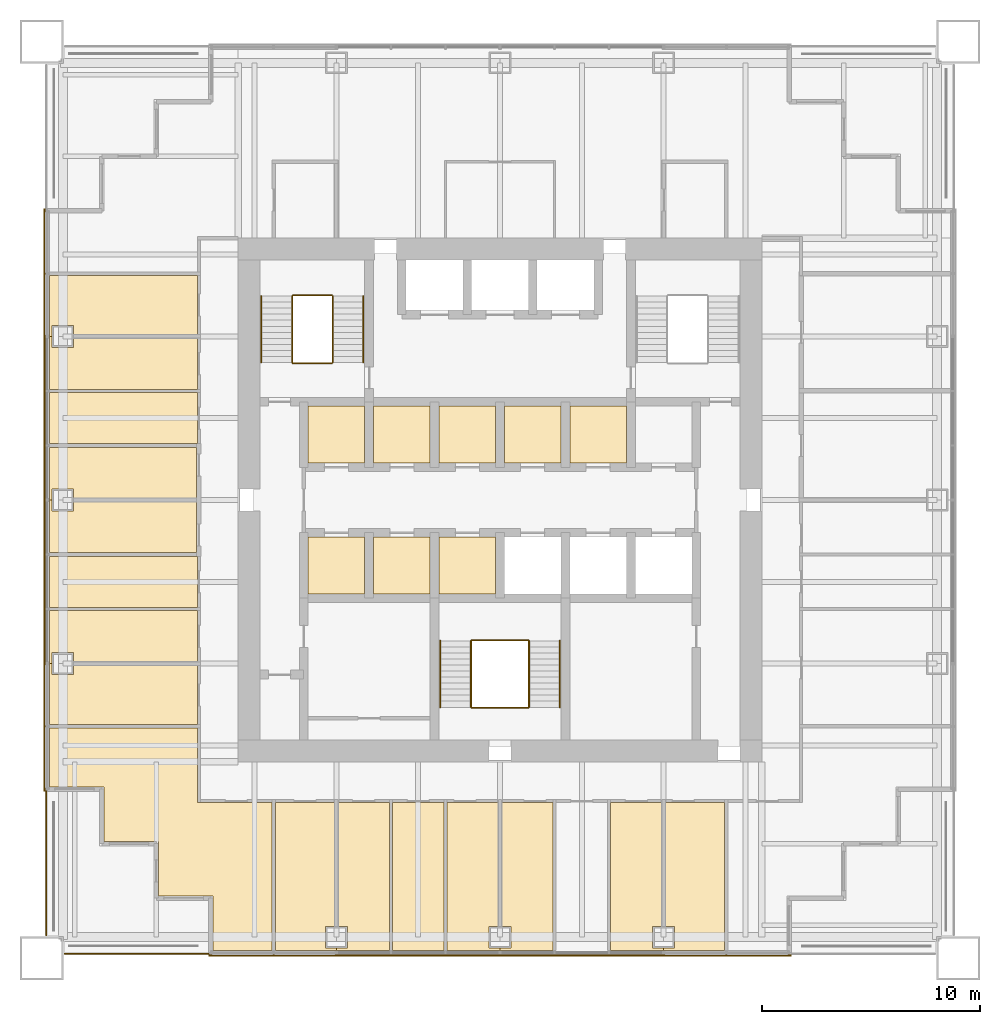
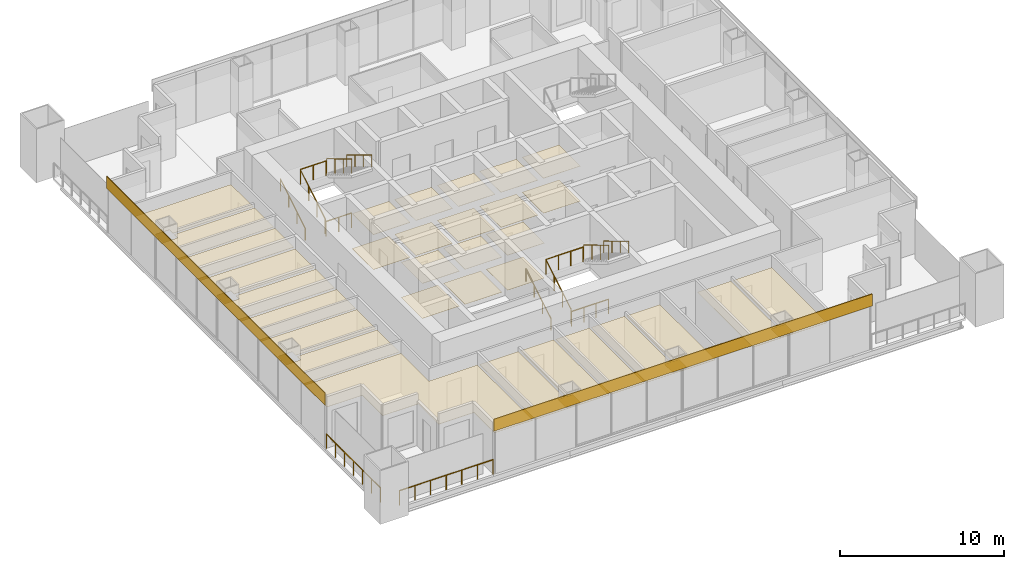
# One storey, part 13 of 14: 34 coverings, 14 railings.
"""IFC4 building model written with IfcOpenShell, lengths in metres."""

from ifc_helpers import new_model, si_unit, direction, frame, origin, origin_2d, place, context, subcontext, project, spatial, polyline, rectangle, circle, outline, extrude, material, layer, layer_set, type_object, element, save


model = new_model("IFC4")

# Units and contexts
model_context = context("Model", 3, precision=1e-05, world=origin(), true_north=direction((0.0, 1.0)))
body_context = subcontext(model_context, "Body", "Model", "MODEL_VIEW")
ifc_project = project(units=[si_unit("LENGTHUNIT", "METRE"), si_unit("AREAUNIT", "SQUARE_METRE"), si_unit("VOLUMEUNIT", "CUBIC_METRE"), si_unit("PLANEANGLEUNIT", "RADIAN"), si_unit("MASSUNIT", "GRAM", prefix="KILO")], contexts=[model_context])

# Site, building, storey
site_placement = place(None, origin())
site = spatial("IfcSite", under=ifc_project, at=site_placement, CompositionType="ELEMENT")
building_placement = place(site_placement, origin())
building = spatial("IfcBuilding", under=site, at=building_placement, Name="Tarangal Relay Tower", CompositionType="ELEMENT")
storey_placement = place(building_placement, frame((0.0, 0.0, 303.89990234375)))
storey = spatial("IfcBuildingStorey", under=building, at=storey_placement, Name="L67", CompositionType="ELEMENT", Elevation=303.89990234375)

# Coverings
ifc_material_1 = material(Name="Anti-static vinyl flooring", Category="plastic")
ifc_layer_1 = layer(ifc_material_1, 0.010009765625)
ifc_layer_set_1 = layer_set([ifc_layer_1], Name="Anti-static vinyl floor")
covering_type_1 = type_object("IfcCoveringType", Name="Anti-static vinyl floor", PredefinedType="FLOORING", material=ifc_layer_set_1)
covering_1_placement = place(storey_placement, origin())
element("IfcCovering", 1, at=covering_1_placement, inside=storey, type_object=covering_type_1, Name="Floor finish FL1 L67-D1", PredefinedType="FLOORING", context=body_context, shape_type="SweptSolid", body=[
    extrude(outline(polyline([(-8.800048828125, 1.699951171875), (-6.199951171875, 1.699951171875), (-6.199951171875, 4.300048828125), (-8.800048828125, 4.300048828125), (-8.800048828125, 1.699951171875)])), origin(), (0.0, 0.0, 1.0), 0.010009765625),
])
covering_2_placement = place(storey_placement, origin())
element("IfcCovering", 2, at=covering_2_placement, inside=storey, type_object=covering_type_1, Name="Floor finish FL1 L67-D2", PredefinedType="FLOORING", context=body_context, shape_type="SweptSolid", body=[
    extrude(outline(polyline([(-5.800048828125, 1.699951171875), (-3.199951171875, 1.699951171875), (-3.199951171875, 4.300048828125), (-5.800048828125, 4.300048828125), (-5.800048828125, 1.699951171875)])), origin(), (0.0, 0.0, 1.0), 0.010009765625),
])
covering_3_placement = place(storey_placement, origin())
element("IfcCovering", 3, at=covering_3_placement, inside=storey, type_object=covering_type_1, Name="Floor finish FL1 L67-D3", PredefinedType="FLOORING", context=body_context, shape_type="SweptSolid", body=[
    extrude(outline(polyline([(-2.800048828125, 1.699951171875), (-0.199951171875, 1.699951171875), (-0.199951171875, 4.300048828125), (-2.800048828125, 4.300048828125), (-2.800048828125, 1.699951171875)])), origin(), (0.0, 0.0, 1.0), 0.010009765625),
])
covering_4_placement = place(storey_placement, origin())
element("IfcCovering", 4, at=covering_4_placement, inside=storey, type_object=covering_type_1, Name="Floor finish FL1 L67-T1", PredefinedType="FLOORING", context=body_context, shape_type="SweptSolid", body=[
    extrude(outline(polyline([(0.199951171875, 1.699951171875), (2.800048828125, 1.699951171875), (2.800048828125, 4.300048828125), (0.199951171875, 4.300048828125), (0.199951171875, 1.699951171875)])), origin(), (0.0, 0.0, 1.0), 0.010009765625),
])
covering_5_placement = place(storey_placement, origin())
element("IfcCovering", 5, at=covering_5_placement, inside=storey, type_object=covering_type_1, Name="Floor finish FL1 L67-T2", PredefinedType="FLOORING", context=body_context, shape_type="SweptSolid", body=[
    extrude(outline(polyline([(3.199951171875, 1.699951171875), (5.800048828125, 1.699951171875), (5.800048828125, 4.300048828125), (3.199951171875, 4.300048828125), (3.199951171875, 1.699951171875)])), origin(), (0.0, 0.0, 1.0), 0.010009765625),
])
covering_6_placement = place(storey_placement, origin())
element("IfcCovering", 6, at=covering_6_placement, inside=storey, type_object=covering_type_1, Name="Floor finish FL1 L67-S1", PredefinedType="FLOORING", context=body_context, shape_type="SweptSolid", body=[
    extrude(outline(polyline([(-8.800048828125, -4.300048828125), (-6.199951171875, -4.300048828125), (-6.199951171875, -1.699951171875), (-8.800048828125, -1.699951171875), (-8.800048828125, -4.300048828125)])), origin(), (0.0, 0.0, 1.0), 0.010009765625),
])
covering_7_placement = place(storey_placement, origin())
element("IfcCovering", 7, at=covering_7_placement, inside=storey, type_object=covering_type_1, Name="Floor finish FL1 L67-S2", PredefinedType="FLOORING", context=body_context, shape_type="SweptSolid", body=[
    extrude(outline(polyline([(-5.800048828125, -4.300048828125), (-3.199951171875, -4.300048828125), (-3.199951171875, -1.699951171875), (-5.800048828125, -1.699951171875), (-5.800048828125, -4.300048828125)])), origin(), (0.0, 0.0, 1.0), 0.010009765625),
])
covering_8_placement = place(storey_placement, origin())
element("IfcCovering", 8, at=covering_8_placement, inside=storey, type_object=covering_type_1, Name="Floor finish FL1 L67-S3", PredefinedType="FLOORING", context=body_context, shape_type="SweptSolid", body=[
    extrude(outline(polyline([(-2.800048828125, -4.300048828125), (-0.199951171875, -4.300048828125), (-0.199951171875, -1.699951171875), (-2.800048828125, -1.699951171875), (-2.800048828125, -4.300048828125)])), origin(), (0.0, 0.0, 1.0), 0.010009765625),
])
ifc_material_2 = material(Name="Black anodised aluminium cladding", Category="aluminium")
ifc_layer_2 = layer(ifc_material_2, 0.050048828125)
ifc_layer_set_2 = layer_set([ifc_layer_2], Name="Black metal spandrel band")
covering_type_2 = type_object("IfcCoveringType", Name="Black metal spandrel band", PredefinedType="CLADDING", material=ifc_layer_set_2)
for number, where, z_axis, x_axis, name in (
    (9, (0.0, -20.875, 3.250244140625), (0.0, 0.0, 1.0), (-1.0, 0.0, 0.0), "Spandrel band SB1 S L67"),
    (10, (-20.875, 0.0, 3.250244140625), (0.0, 0.0, 1.0), (0.0, 1.0, 0.0), "Spandrel band SB1 W L67"),
):
    element("IfcCovering", number, at=place(storey_placement, frame(where, z_axis=z_axis, x_axis=x_axis)), inside=storey, type_object=covering_type_2, Name=name, PredefinedType="CLADDING", context=body_context, shape_type="SweptSolid", body=[
        extrude(rectangle(XDim=26.699951171875, YDim=0.050048828125, at=origin_2d()), origin(), (0.0, 0.0, 1.0), 0.89990234375),
    ])

# Railings
ifc_material_3 = material(Name="Steel guard, black finish", Category="steel")
railing_type_1 = type_object("IfcRailingType", Name="Stair guard 1100", PredefinedType="GUARDRAIL", material=ifc_material_3)
railing_1_placement = place(storey_placement, frame((-9.530029296875, 6.300048828125, 0.166748046875)))
element("IfcRailing", 11, at=railing_1_placement, inside=storey, type_object=railing_type_1, Name="Stair ST-A guard GR1 L67 flight 1", PredefinedType="GUARDRAIL", context=body_context, shape_type="SweptSolid", body=[
    extrude(circle(Radius=0.02392578125, at=origin_2d()), frame((0.0, 0.0, 1.076171875), z_axis=(0.0, 0.85685617095, 0.515555527858), x_axis=(-1.0, 0.0, 0.0)), (0.0, 0.0, 1.0), 3.555908203125),
    extrude(circle(Radius=0.02099609375, at=origin_2d()), origin(), (0.0, 0.0, 1.0), 1.052001953125),
    extrude(circle(Radius=0.02099609375, at=origin_2d()), frame((0.0, 1.015625, 0.611083984375)), (0.0, 0.0, 1.0), 1.052001953125),
    extrude(circle(Radius=0.02099609375, at=origin_2d()), frame((0.0, 2.03125, 1.22216796875)), (0.0, 0.0, 1.0), 1.052001953125),
    extrude(circle(Radius=0.02099609375, at=origin_2d()), frame((0.0, 3.046875, 1.833251953125)), (0.0, 0.0, 1.0), 1.052001953125),
])
railing_2_placement = place(storey_placement, frame((-7.669921875, 9.346923828125, 2.166748046875)))
element("IfcRailing", 12, at=railing_2_placement, inside=storey, type_object=railing_type_1, Name="Stair ST-A guard GR1 L67 flight 2", PredefinedType="GUARDRAIL", context=body_context, shape_type="SweptSolid", body=[
    extrude(circle(Radius=0.02392578125, at=origin_2d()), frame((0.0, 0.0, 1.076171875), z_axis=(0.0, -0.85685617095, 0.515555527858), x_axis=(1.0, 0.0, 0.0)), (0.0, 0.0, 1.0), 3.555908203125),
    extrude(circle(Radius=0.02099609375, at=origin_2d()), origin(), (0.0, 0.0, 1.0), 1.052001953125),
    extrude(circle(Radius=0.02099609375, at=origin_2d()), frame((0.0, -1.015625, 0.611083984375)), (0.0, 0.0, 1.0), 1.052001953125),
    extrude(circle(Radius=0.02099609375, at=origin_2d()), frame((0.0, -2.03125, 1.22216796875)), (0.0, 0.0, 1.0), 1.052001953125),
    extrude(circle(Radius=0.02099609375, at=origin_2d()), frame((0.0, -3.046875, 1.833251953125)), (0.0, 0.0, 1.0), 1.052001953125),
])
for number, where, name in (
    (13, (-9.5, 6.27001953125, 0.0), "Stair ST-A landing guard GR1 L67"),
    (14, (-9.5, 9.376953125, 2.0), "Stair ST-A landing guard GR1 L67"),
):
    element("IfcRailing", number, at=place(storey_placement, frame(where)), inside=storey, type_object=railing_type_1, Name=name, PredefinedType="GUARDRAIL", context=body_context, shape_type="SweptSolid", body=[
        extrude(circle(Radius=0.02392578125, at=origin_2d()), frame((0.0, 0.0, 1.076171875), z_axis=(1.0, 0.0, 0.0), x_axis=(0.0, 1.0, 0.0)), (0.0, 0.0, 1.0), 1.800048828125),
        extrude(circle(Radius=0.02099609375, at=origin_2d()), origin(), (0.0, 0.0, 1.0), 1.052001953125),
        extrude(circle(Radius=0.02099609375, at=origin_2d()), frame((0.89990234375, 0.0, 0.0)), (0.0, 0.0, 1.0), 1.052001953125),
        extrude(circle(Radius=0.02099609375, at=origin_2d()), frame((1.800048828125, 0.0, 0.0)), (0.0, 0.0, 1.0), 1.052001953125),
    ])
railing_3_placement = place(storey_placement, frame((-1.330078125, -9.5, 0.166748046875)))
element("IfcRailing", 15, at=railing_3_placement, inside=storey, type_object=railing_type_1, Name="Stair ST-C guard GR1 L67 flight 1", PredefinedType="GUARDRAIL", context=body_context, shape_type="SweptSolid", body=[
    extrude(circle(Radius=0.02392578125, at=origin_2d()), frame((0.0, 0.0, 1.076171875), z_axis=(0.0, 0.856874418557, 0.515525199018), x_axis=(-1.0, 0.0, 0.0)), (0.0, 0.0, 1.0), 3.55615234375),
    extrude(circle(Radius=0.02099609375, at=origin_2d()), origin(), (0.0, 0.0, 1.0), 1.052001953125),
    extrude(circle(Radius=0.02099609375, at=origin_2d()), frame((0.0, 1.015625, 0.611083984375)), (0.0, 0.0, 1.0), 1.052001953125),
    extrude(circle(Radius=0.02099609375, at=origin_2d()), frame((0.0, 2.031494140625, 1.22216796875)), (0.0, 0.0, 1.0), 1.052001953125),
    extrude(circle(Radius=0.02099609375, at=origin_2d()), frame((0.0, 3.047119140625, 1.833251953125)), (0.0, 0.0, 1.0), 1.052001953125),
])
railing_4_placement = place(storey_placement, frame((1.330078125, -6.452880859375, 2.166748046875)))
element("IfcRailing", 16, at=railing_4_placement, inside=storey, type_object=railing_type_1, Name="Stair ST-C guard GR1 L67 flight 2", PredefinedType="GUARDRAIL", context=body_context, shape_type="SweptSolid", body=[
    extrude(circle(Radius=0.02392578125, at=origin_2d()), frame((0.0, 0.0, 1.076171875), z_axis=(0.0, -0.856874418557, 0.515525199018), x_axis=(1.0, 0.0, 0.0)), (0.0, 0.0, 1.0), 3.55615234375),
    extrude(circle(Radius=0.02099609375, at=origin_2d()), origin(), (0.0, 0.0, 1.0), 1.052001953125),
    extrude(circle(Radius=0.02099609375, at=origin_2d()), frame((0.0, -1.015625, 0.611083984375)), (0.0, 0.0, 1.0), 1.052001953125),
    extrude(circle(Radius=0.02099609375, at=origin_2d()), frame((0.0, -2.031494140625, 1.22216796875)), (0.0, 0.0, 1.0), 1.052001953125),
    extrude(circle(Radius=0.02099609375, at=origin_2d()), frame((0.0, -3.047119140625, 1.833251953125)), (0.0, 0.0, 1.0), 1.052001953125),
])
for number, where, name in (
    (17, (-1.300048828125, -9.530029296875, 0.0), "Stair ST-C landing guard GR1 L67"),
    (18, (-1.300048828125, -6.423095703125, 2.0), "Stair ST-C landing guard GR1 L67"),
):
    element("IfcRailing", number, at=place(storey_placement, frame(where)), inside=storey, type_object=railing_type_1, Name=name, PredefinedType="GUARDRAIL", context=body_context, shape_type="SweptSolid", body=[
        extrude(circle(Radius=0.02392578125, at=origin_2d()), frame((0.0, 0.0, 1.076171875), z_axis=(1.0, 0.0, 0.0), x_axis=(0.0, 1.0, 0.0)), (0.0, 0.0, 1.0), 2.60009765625),
        extrude(circle(Radius=0.02099609375, at=origin_2d()), origin(), (0.0, 0.0, 1.0), 1.052001953125),
        extrude(circle(Radius=0.02099609375, at=origin_2d()), frame((0.86669921875, 0.0, 0.0)), (0.0, 0.0, 1.0), 1.052001953125),
        extrude(circle(Radius=0.02099609375, at=origin_2d()), frame((1.7333984375, 0.0, 0.0)), (0.0, 0.0, 1.0), 1.052001953125),
        extrude(circle(Radius=0.02099609375, at=origin_2d()), frame((2.60009765625, 0.0, 0.0)), (0.0, 0.0, 1.0), 1.052001953125),
    ])
ifc_material_4 = material(Name="Steel handrail, black finish", Category="steel")
railing_type_2 = type_object("IfcRailingType", Name="Stair handrail 900", PredefinedType="HANDRAIL", material=ifc_material_4)
railing_5_placement = place(storey_placement, frame((-10.93994140625, 6.300048828125, 0.166748046875)))
element("IfcRailing", 19, at=railing_5_placement, inside=storey, type_object=railing_type_2, Name="Stair ST-A handrail HR1 L67 flight 1", PredefinedType="HANDRAIL", context=body_context, shape_type="SweptSolid", body=[
    extrude(circle(Radius=0.02392578125, at=origin_2d()), frame((0.0, 0.0, 0.8759765625), z_axis=(0.0, 0.85685617095, 0.515555527858), x_axis=(-1.0, 0.0, 0.0)), (0.0, 0.0, 1.0), 3.555908203125),
    extrude(circle(Radius=0.02099609375, at=origin_2d()), origin(), (0.0, 0.0, 1.0), 0.851806640625),
    extrude(circle(Radius=0.02099609375, at=origin_2d()), frame((0.0, 1.015625, 0.611083984375)), (0.0, 0.0, 1.0), 0.851806640625),
    extrude(circle(Radius=0.02099609375, at=origin_2d()), frame((0.0, 2.03125, 1.22216796875)), (0.0, 0.0, 1.0), 0.851806640625),
    extrude(circle(Radius=0.02099609375, at=origin_2d()), frame((0.0, 3.046875, 1.833251953125)), (0.0, 0.0, 1.0), 0.851806640625),
])
railing_6_placement = place(storey_placement, frame((-6.260009765625, 9.346923828125, 2.166748046875)))
element("IfcRailing", 20, at=railing_6_placement, inside=storey, type_object=railing_type_2, Name="Stair ST-A handrail HR1 L67 flight 2", PredefinedType="HANDRAIL", context=body_context, shape_type="SweptSolid", body=[
    extrude(circle(Radius=0.02392578125, at=origin_2d()), frame((0.0, 0.0, 0.8759765625), z_axis=(0.0, -0.85685617095, 0.515555527858), x_axis=(1.0, 0.0, 0.0)), (0.0, 0.0, 1.0), 3.555908203125),
    extrude(circle(Radius=0.02099609375, at=origin_2d()), origin(), (0.0, 0.0, 1.0), 0.851806640625),
    extrude(circle(Radius=0.02099609375, at=origin_2d()), frame((0.0, -1.015625, 0.611083984375)), (0.0, 0.0, 1.0), 0.851806640625),
    extrude(circle(Radius=0.02099609375, at=origin_2d()), frame((0.0, -2.03125, 1.22216796875)), (0.0, 0.0, 1.0), 0.851806640625),
    extrude(circle(Radius=0.02099609375, at=origin_2d()), frame((0.0, -3.046875, 1.833251953125)), (0.0, 0.0, 1.0), 0.851806640625),
])
railing_7_placement = place(storey_placement, frame((-2.739990234375, -9.5, 0.166748046875)))
element("IfcRailing", 21, at=railing_7_placement, inside=storey, type_object=railing_type_2, Name="Stair ST-C handrail HR1 L67 flight 1", PredefinedType="HANDRAIL", context=body_context, shape_type="SweptSolid", body=[
    extrude(circle(Radius=0.02392578125, at=origin_2d()), frame((0.0, 0.0, 0.8759765625), z_axis=(0.0, 0.856874418557, 0.515525199018), x_axis=(-1.0, 0.0, 0.0)), (0.0, 0.0, 1.0), 3.55615234375),
    extrude(circle(Radius=0.02099609375, at=origin_2d()), origin(), (0.0, 0.0, 1.0), 0.851806640625),
    extrude(circle(Radius=0.02099609375, at=origin_2d()), frame((0.0, 1.015625, 0.611083984375)), (0.0, 0.0, 1.0), 0.851806640625),
    extrude(circle(Radius=0.02099609375, at=origin_2d()), frame((0.0, 2.031494140625, 1.22216796875)), (0.0, 0.0, 1.0), 0.851806640625),
    extrude(circle(Radius=0.02099609375, at=origin_2d()), frame((0.0, 3.047119140625, 1.833251953125)), (0.0, 0.0, 1.0), 0.851806640625),
])
railing_8_placement = place(storey_placement, frame((2.739990234375, -6.452880859375, 2.166748046875)))
element("IfcRailing", 22, at=railing_8_placement, inside=storey, type_object=railing_type_2, Name="Stair ST-C handrail HR1 L67 flight 2", PredefinedType="HANDRAIL", context=body_context, shape_type="SweptSolid", body=[
    extrude(circle(Radius=0.02392578125, at=origin_2d()), frame((0.0, 0.0, 0.8759765625), z_axis=(0.0, -0.856874418557, 0.515525199018), x_axis=(1.0, 0.0, 0.0)), (0.0, 0.0, 1.0), 3.55615234375),
    extrude(circle(Radius=0.02099609375, at=origin_2d()), origin(), (0.0, 0.0, 1.0), 0.851806640625),
    extrude(circle(Radius=0.02099609375, at=origin_2d()), frame((0.0, -1.015625, 0.611083984375)), (0.0, 0.0, 1.0), 0.851806640625),
    extrude(circle(Radius=0.02099609375, at=origin_2d()), frame((0.0, -2.031494140625, 1.22216796875)), (0.0, 0.0, 1.0), 0.851806640625),
    extrude(circle(Radius=0.02099609375, at=origin_2d()), frame((0.0, -3.047119140625, 1.833251953125)), (0.0, 0.0, 1.0), 0.851806640625),
])

# Coverings
ifc_material_5 = material(Name="Mineral fibre ceiling tiles", Category="gypsum")
ifc_layer_3 = layer(ifc_material_5, 0.02001953125)
ifc_layer_set_3 = layer_set([ifc_layer_3], Name="Suspended ceiling")
covering_type_3 = type_object("IfcCoveringType", Name="Suspended ceiling", PredefinedType="CEILING", material=ifc_layer_set_3)
covering_9_placement = place(storey_placement, frame((0.0, 0.0, 2.60009765625)))
element("IfcCovering", 23, at=covering_9_placement, inside=storey, type_object=covering_type_3, Name="Suspended ceiling CL1 L67-D1", PredefinedType="CEILING", context=body_context, shape_type="SweptSolid", body=[
    extrude(outline(polyline([(-8.800048828125, 1.699951171875), (-6.199951171875, 1.699951171875), (-6.199951171875, 4.300048828125), (-8.800048828125, 4.300048828125), (-8.800048828125, 1.699951171875)])), origin(), (0.0, 0.0, 1.0), 0.02001953125),
])
covering_10_placement = place(storey_placement, frame((0.0, 0.0, 2.60009765625)))
element("IfcCovering", 24, at=covering_10_placement, inside=storey, type_object=covering_type_3, Name="Suspended ceiling CL1 L67-D2", PredefinedType="CEILING", context=body_context, shape_type="SweptSolid", body=[
    extrude(outline(polyline([(-5.800048828125, 1.699951171875), (-3.199951171875, 1.699951171875), (-3.199951171875, 4.300048828125), (-5.800048828125, 4.300048828125), (-5.800048828125, 1.699951171875)])), origin(), (0.0, 0.0, 1.0), 0.02001953125),
])
covering_11_placement = place(storey_placement, frame((0.0, 0.0, 2.60009765625)))
element("IfcCovering", 25, at=covering_11_placement, inside=storey, type_object=covering_type_3, Name="Suspended ceiling CL1 L67-D3", PredefinedType="CEILING", context=body_context, shape_type="SweptSolid", body=[
    extrude(outline(polyline([(-2.800048828125, 1.699951171875), (-0.199951171875, 1.699951171875), (-0.199951171875, 4.300048828125), (-2.800048828125, 4.300048828125), (-2.800048828125, 1.699951171875)])), origin(), (0.0, 0.0, 1.0), 0.02001953125),
])
covering_12_placement = place(storey_placement, frame((0.0, 0.0, 2.60009765625)))
element("IfcCovering", 26, at=covering_12_placement, inside=storey, type_object=covering_type_3, Name="Suspended ceiling CL1 L67-T1", PredefinedType="CEILING", context=body_context, shape_type="SweptSolid", body=[
    extrude(outline(polyline([(0.199951171875, 1.699951171875), (2.800048828125, 1.699951171875), (2.800048828125, 4.300048828125), (0.199951171875, 4.300048828125), (0.199951171875, 1.699951171875)])), origin(), (0.0, 0.0, 1.0), 0.02001953125),
])
covering_13_placement = place(storey_placement, frame((0.0, 0.0, 2.60009765625)))
element("IfcCovering", 27, at=covering_13_placement, inside=storey, type_object=covering_type_3, Name="Suspended ceiling CL1 L67-T2", PredefinedType="CEILING", context=body_context, shape_type="SweptSolid", body=[
    extrude(outline(polyline([(3.199951171875, 1.699951171875), (5.800048828125, 1.699951171875), (5.800048828125, 4.300048828125), (3.199951171875, 4.300048828125), (3.199951171875, 1.699951171875)])), origin(), (0.0, 0.0, 1.0), 0.02001953125),
])
covering_14_placement = place(storey_placement, frame((0.0, 0.0, 2.60009765625)))
element("IfcCovering", 28, at=covering_14_placement, inside=storey, type_object=covering_type_3, Name="Suspended ceiling CL1 L67-S1", PredefinedType="CEILING", context=body_context, shape_type="SweptSolid", body=[
    extrude(outline(polyline([(-8.800048828125, -4.300048828125), (-6.199951171875, -4.300048828125), (-6.199951171875, -1.699951171875), (-8.800048828125, -1.699951171875), (-8.800048828125, -4.300048828125)])), origin(), (0.0, 0.0, 1.0), 0.02001953125),
])
covering_15_placement = place(storey_placement, frame((0.0, 0.0, 2.60009765625)))
element("IfcCovering", 29, at=covering_15_placement, inside=storey, type_object=covering_type_3, Name="Suspended ceiling CL1 L67-S2", PredefinedType="CEILING", context=body_context, shape_type="SweptSolid", body=[
    extrude(outline(polyline([(-5.800048828125, -4.300048828125), (-3.199951171875, -4.300048828125), (-3.199951171875, -1.699951171875), (-5.800048828125, -1.699951171875), (-5.800048828125, -4.300048828125)])), origin(), (0.0, 0.0, 1.0), 0.02001953125),
])
covering_16_placement = place(storey_placement, frame((0.0, 0.0, 2.60009765625)))
element("IfcCovering", 30, at=covering_16_placement, inside=storey, type_object=covering_type_3, Name="Suspended ceiling CL1 L67-S3", PredefinedType="CEILING", context=body_context, shape_type="SweptSolid", body=[
    extrude(outline(polyline([(-2.800048828125, -4.300048828125), (-0.199951171875, -4.300048828125), (-0.199951171875, -1.699951171875), (-2.800048828125, -1.699951171875), (-2.800048828125, -4.300048828125)])), origin(), (0.0, 0.0, 1.0), 0.02001953125),
])
covering_17_placement = place(storey_placement, frame((0.0, 0.0, 2.900146484375)))
element("IfcCovering", 31, at=covering_17_placement, inside=storey, type_object=covering_type_3, Name="Suspended ceiling CL1 L67-10", PredefinedType="CEILING", context=body_context, shape_type="SweptSolid", body=[
    extrude(outline(polyline([(7.5, -20.64990234375), (10.300048828125, -20.64990234375), (10.300048828125, -13.875), (7.574951171875, -13.875), (7.574951171875, -19.5400390625), (8.0, -19.5400390625), (8.0, -20.5400390625), (7.5, -20.5400390625), (7.5, -20.64990234375)])), origin(), (0.0, 0.0, 1.0), 0.02001953125),
])
covering_18_placement = place(storey_placement, frame((0.0, 0.0, 2.900146484375)))
element("IfcCovering", 32, at=covering_18_placement, inside=storey, type_object=covering_type_3, Name="Suspended ceiling CL1 L67-11", PredefinedType="CEILING", context=body_context, shape_type="SweptSolid", body=[
    extrude(outline(polyline([(5.074951171875, -20.64990234375), (7.5, -20.64990234375), (7.5, -20.5400390625), (7.0, -20.5400390625), (7.0, -19.5400390625), (7.425048828125, -19.5400390625), (7.425048828125, -13.875), (5.074951171875, -13.875), (5.074951171875, -20.64990234375)])), origin(), (0.0, 0.0, 1.0), 0.02001953125),
])
covering_19_placement = place(storey_placement, frame((0.0, 0.0, 2.900146484375)))
element("IfcCovering", 33, at=covering_19_placement, inside=storey, type_object=covering_type_3, Name="Suspended ceiling CL1 L67-13", PredefinedType="CEILING", context=body_context, shape_type="SweptSolid", body=[
    extrude(outline(polyline([(0.0, -20.64990234375), (2.425048828125, -20.64990234375), (2.425048828125, -13.875), (0.074951171875, -13.875), (0.074951171875, -19.5400390625), (0.5, -19.5400390625), (0.5, -20.5400390625), (0.0, -20.5400390625), (0.0, -20.64990234375)])), origin(), (0.0, 0.0, 1.0), 0.02001953125),
])
covering_20_placement = place(storey_placement, frame((0.0, 0.0, 2.900146484375)))
element("IfcCovering", 34, at=covering_20_placement, inside=storey, type_object=covering_type_3, Name="Suspended ceiling CL1 L67-14", PredefinedType="CEILING", context=body_context, shape_type="SweptSolid", body=[
    extrude(outline(polyline([(-2.425048828125, -20.64990234375), (0.0, -20.64990234375), (0.0, -20.5400390625), (-0.5, -20.5400390625), (-0.5, -19.5400390625), (-0.074951171875, -19.5400390625), (-0.074951171875, -13.875), (-2.425048828125, -13.875), (-2.425048828125, -20.64990234375)])), origin(), (0.0, 0.0, 1.0), 0.02001953125),
])
covering_21_placement = place(storey_placement, frame((0.0, 0.0, 2.900146484375)))
element("IfcCovering", 35, at=covering_21_placement, inside=storey, type_object=covering_type_3, Name="Suspended ceiling CL1 L67-15", PredefinedType="CEILING", context=body_context, shape_type="SweptSolid", body=[
    extrude(outline(polyline([(-2.574951171875, -20.64990234375), (-2.574951171875, -13.875), (-4.925048828125, -13.875), (-4.925048828125, -20.64990234375), (-2.574951171875, -20.64990234375)])), origin(), (0.0, 0.0, 1.0), 0.02001953125),
])
covering_22_placement = place(storey_placement, frame((0.0, 0.0, 2.900146484375)))
element("IfcCovering", 36, at=covering_22_placement, inside=storey, type_object=covering_type_3, Name="Suspended ceiling CL1 L67-16", PredefinedType="CEILING", context=body_context, shape_type="SweptSolid", body=[
    extrude(outline(polyline([(-7.5, -20.64990234375), (-5.074951171875, -20.64990234375), (-5.074951171875, -13.875), (-7.425048828125, -13.875), (-7.425048828125, -19.5400390625), (-7.0, -19.5400390625), (-7.0, -20.5400390625), (-7.5, -20.5400390625), (-7.5, -20.64990234375)])), origin(), (0.0, 0.0, 1.0), 0.02001953125),
])
covering_23_placement = place(storey_placement, frame((0.0, 0.0, 2.900146484375)))
element("IfcCovering", 37, at=covering_23_placement, inside=storey, type_object=covering_type_3, Name="Suspended ceiling CL1 L67-17", PredefinedType="CEILING", context=body_context, shape_type="SweptSolid", body=[
    extrude(outline(polyline([(-10.300048828125, -20.64990234375), (-7.5, -20.64990234375), (-7.5, -20.5400390625), (-8.0, -20.5400390625), (-8.0, -19.5400390625), (-7.574951171875, -19.5400390625), (-7.574951171875, -13.875), (-10.300048828125, -13.875), (-10.300048828125, -20.64990234375)])), origin(), (0.0, 0.0, 1.0), 0.02001953125),
])
covering_24_placement = place(storey_placement, frame((0.0, 0.0, 2.900146484375)))
element("IfcCovering", 38, at=covering_24_placement, inside=storey, type_object=covering_type_3, Name="Suspended ceiling CL1 L67-18", PredefinedType="CEILING", context=body_context, shape_type="SweptSolid", body=[
    extrude(outline(polyline([(-20.64990234375, -7.5), (-20.64990234375, -10.300048828125), (-13.875, -10.300048828125), (-13.875, -7.574951171875), (-19.5400390625, -7.574951171875), (-19.5400390625, -8.0), (-20.5400390625, -8.0), (-20.5400390625, -7.5), (-20.64990234375, -7.5)])), origin(), (0.0, 0.0, 1.0), 0.02001953125),
])
covering_25_placement = place(storey_placement, frame((0.0, 0.0, 2.900146484375)))
element("IfcCovering", 39, at=covering_25_placement, inside=storey, type_object=covering_type_3, Name="Suspended ceiling CL1 L67-19", PredefinedType="CEILING", context=body_context, shape_type="SweptSolid", body=[
    extrude(outline(polyline([(-20.64990234375, -5.074951171875), (-20.64990234375, -7.5), (-20.5400390625, -7.5), (-20.5400390625, -7.0), (-19.5400390625, -7.0), (-19.5400390625, -7.425048828125), (-13.875, -7.425048828125), (-13.875, -5.074951171875), (-20.64990234375, -5.074951171875)])), origin(), (0.0, 0.0, 1.0), 0.02001953125),
])
covering_26_placement = place(storey_placement, frame((0.0, 0.0, 2.900146484375)))
element("IfcCovering", 40, at=covering_26_placement, inside=storey, type_object=covering_type_3, Name="Suspended ceiling CL1 L67-20", PredefinedType="CEILING", context=body_context, shape_type="SweptSolid", body=[
    extrude(outline(polyline([(-20.64990234375, -4.925048828125), (-13.875, -4.925048828125), (-13.875, -2.60009765625), (-20.64990234375, -2.60009765625), (-20.64990234375, -4.925048828125)])), origin(), (0.0, 0.0, 1.0), 0.02001953125),
])
covering_27_placement = place(storey_placement, frame((0.0, 0.0, 2.900146484375)))
element("IfcCovering", 41, at=covering_27_placement, inside=storey, type_object=covering_type_3, Name="Suspended ceiling CL1 L67-21", PredefinedType="CEILING", context=body_context, shape_type="SweptSolid", body=[
    extrude(outline(polyline([(-20.64990234375, 0.0), (-20.64990234375, -2.39990234375), (-13.89990234375, -2.39990234375), (-13.89990234375, -0.10009765625), (-19.5400390625, -0.10009765625), (-19.5400390625, -0.5), (-20.5400390625, -0.5), (-20.5400390625, 0.0), (-20.64990234375, 0.0)])), origin(), (0.0, 0.0, 1.0), 0.02001953125),
])
covering_28_placement = place(storey_placement, frame((0.0, 0.0, 2.900146484375)))
element("IfcCovering", 42, at=covering_28_placement, inside=storey, type_object=covering_type_3, Name="Suspended ceiling CL1 L67-22", PredefinedType="CEILING", context=body_context, shape_type="SweptSolid", body=[
    extrude(outline(polyline([(-20.64990234375, 2.39990234375), (-20.64990234375, 0.0), (-20.5400390625, 0.0), (-20.5400390625, 0.5), (-19.5400390625, 0.5), (-19.5400390625, 0.10009765625), (-13.89990234375, 0.10009765625), (-13.89990234375, 2.39990234375), (-20.64990234375, 2.39990234375)])), origin(), (0.0, 0.0, 1.0), 0.02001953125),
])
covering_29_placement = place(storey_placement, frame((0.0, 0.0, 2.900146484375)))
element("IfcCovering", 43, at=covering_29_placement, inside=storey, type_object=covering_type_3, Name="Suspended ceiling CL1 L67-23", PredefinedType="CEILING", context=body_context, shape_type="SweptSolid", body=[
    extrude(outline(polyline([(-20.64990234375, 2.60009765625), (-13.875, 2.60009765625), (-13.875, 4.925048828125), (-20.64990234375, 4.925048828125), (-20.64990234375, 2.60009765625)])), origin(), (0.0, 0.0, 1.0), 0.02001953125),
])
covering_30_placement = place(storey_placement, frame((0.0, 0.0, 2.900146484375)))
element("IfcCovering", 44, at=covering_30_placement, inside=storey, type_object=covering_type_3, Name="Suspended ceiling CL1 L67-24", PredefinedType="CEILING", context=body_context, shape_type="SweptSolid", body=[
    extrude(outline(polyline([(-20.64990234375, 7.5), (-20.64990234375, 5.074951171875), (-13.875, 5.074951171875), (-13.875, 7.425048828125), (-19.5400390625, 7.425048828125), (-19.5400390625, 7.0), (-20.5400390625, 7.0), (-20.5400390625, 7.5), (-20.64990234375, 7.5)])), origin(), (0.0, 0.0, 1.0), 0.02001953125),
])
covering_31_placement = place(storey_placement, frame((0.0, 0.0, 2.900146484375)))
element("IfcCovering", 45, at=covering_31_placement, inside=storey, type_object=covering_type_3, Name="Suspended ceiling CL1 L67-25", PredefinedType="CEILING", context=body_context, shape_type="SweptSolid", body=[
    extrude(outline(polyline([(-20.64990234375, 10.300048828125), (-20.64990234375, 7.5), (-20.5400390625, 7.5), (-20.5400390625, 8.0), (-19.5400390625, 8.0), (-19.5400390625, 7.574951171875), (-13.875, 7.574951171875), (-13.875, 10.300048828125), (-20.64990234375, 10.300048828125)])), origin(), (0.0, 0.0, 1.0), 0.02001953125),
])
covering_32_placement = place(storey_placement, frame((0.0, 0.0, 2.900146484375)))
element("IfcCovering", 46, at=covering_32_placement, inside=storey, type_object=covering_type_3, Name="Suspended ceiling CL1 L67-28", PredefinedType="CEILING", context=body_context, shape_type="SweptSolid", body=[
    extrude(outline(polyline([(-13.14990234375, -18.14990234375), (-13.14990234375, -20.64990234375), (-10.449951171875, -20.64990234375), (-10.449951171875, -13.875), (-13.875, -13.875), (-13.875, -10.449951171875), (-20.64990234375, -10.449951171875), (-20.64990234375, -13.14990234375), (-18.14990234375, -13.14990234375), (-18.14990234375, -15.64990234375), (-15.64990234375, -15.64990234375), (-15.64990234375, -18.14990234375), (-13.14990234375, -18.14990234375)])), origin(), (0.0, 0.0, 1.0), 0.02001953125),
])

# Railings
ifc_material_6 = material(Name="Black steel guard with glass infill", Category="steel")
railing_type_3 = type_object("IfcRailingType", Name="Terrace guard 1100", PredefinedType="GUARDRAIL", material=ifc_material_6)
railing_9_placement = place(storey_placement, frame((-13.35009765625, -20.800048828125, 0.0)))
element("IfcRailing", 47, at=railing_9_placement, inside=storey, type_object=railing_type_3, Name="Terrace guard GR2 SW L67", PredefinedType="GUARDRAIL", context=body_context, shape_type="SweptSolid", body=[
    extrude(circle(Radius=0.02392578125, at=origin_2d()), frame((0.0, 0.0, 1.076171875), z_axis=(-1.0, 0.0, 0.0), x_axis=(0.0, -1.0, 0.0)), (0.0, 0.0, 1.0), 6.599853515625),
    extrude(circle(Radius=0.02099609375, at=origin_2d()), origin(), (0.0, 0.0, 1.0), 1.052001953125),
    extrude(circle(Radius=0.02099609375, at=origin_2d()), frame((-1.10009765625, 0.0, 0.0)), (0.0, 0.0, 1.0), 1.052001953125),
    extrude(circle(Radius=0.02099609375, at=origin_2d()), frame((-2.199951171875, 0.0, 0.0)), (0.0, 0.0, 1.0), 1.052001953125),
    extrude(circle(Radius=0.02099609375, at=origin_2d()), frame((-3.2998046875, 0.0, 0.0)), (0.0, 0.0, 1.0), 1.052001953125),
    extrude(circle(Radius=0.02099609375, at=origin_2d()), frame((-4.39990234375, 0.0, 0.0)), (0.0, 0.0, 1.0), 1.052001953125),
    extrude(circle(Radius=0.02099609375, at=origin_2d()), frame((-5.5, 0.0, 0.0)), (0.0, 0.0, 1.0), 1.052001953125),
    extrude(circle(Radius=0.02099609375, at=origin_2d()), frame((-6.599853515625, 0.0, 0.0)), (0.0, 0.0, 1.0), 1.052001953125),
])
railing_10_placement = place(storey_placement, frame((-20.800048828125, -19.949951171875, 0.0)))
element("IfcRailing", 48, at=railing_10_placement, inside=storey, type_object=railing_type_3, Name="Terrace guard GR2 SW L67", PredefinedType="GUARDRAIL", context=body_context, shape_type="SweptSolid", body=[
    extrude(circle(Radius=0.02392578125, at=origin_2d()), frame((0.0, 0.0, 1.076171875), z_axis=(0.0, 1.0, 0.0), x_axis=(-1.0, 0.0, 0.0)), (0.0, 0.0, 1.0), 6.599853515625),
    extrude(circle(Radius=0.02099609375, at=origin_2d()), origin(), (0.0, 0.0, 1.0), 1.052001953125),
    extrude(circle(Radius=0.02099609375, at=origin_2d()), frame((0.0, 1.10009765625, 0.0)), (0.0, 0.0, 1.0), 1.052001953125),
    extrude(circle(Radius=0.02099609375, at=origin_2d()), frame((0.0, 2.199951171875, 0.0)), (0.0, 0.0, 1.0), 1.052001953125),
    extrude(circle(Radius=0.02099609375, at=origin_2d()), frame((0.0, 3.2998046875, 0.0)), (0.0, 0.0, 1.0), 1.052001953125),
    extrude(circle(Radius=0.02099609375, at=origin_2d()), frame((0.0, 4.39990234375, 0.0)), (0.0, 0.0, 1.0), 1.052001953125),
    extrude(circle(Radius=0.02099609375, at=origin_2d()), frame((0.0, 5.5, 0.0)), (0.0, 0.0, 1.0), 1.052001953125),
    extrude(circle(Radius=0.02099609375, at=origin_2d()), frame((0.0, 6.599853515625, 0.0)), (0.0, 0.0, 1.0), 1.052001953125),
])

save(model, "model.ifc")
